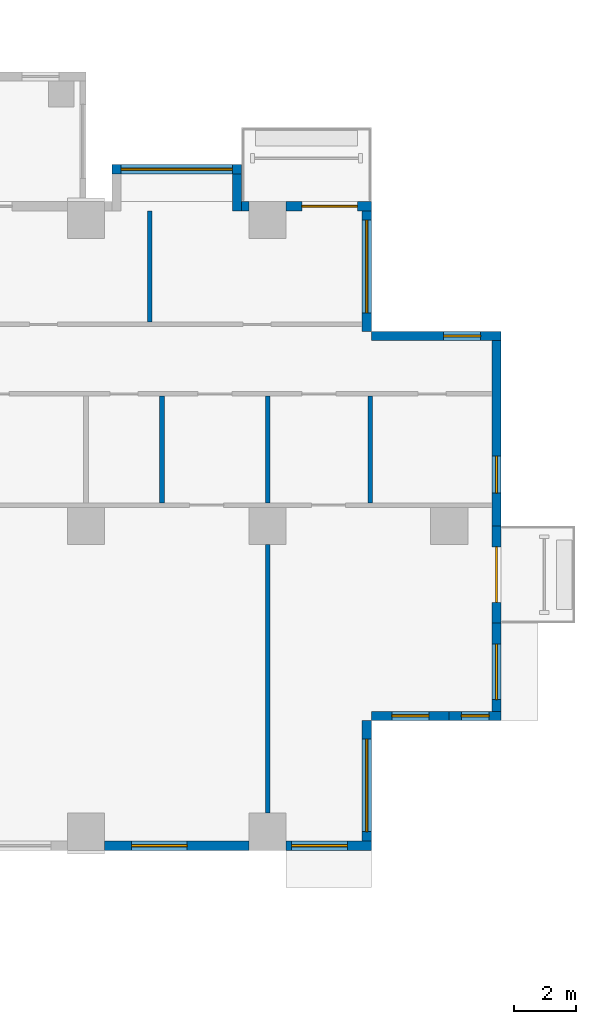
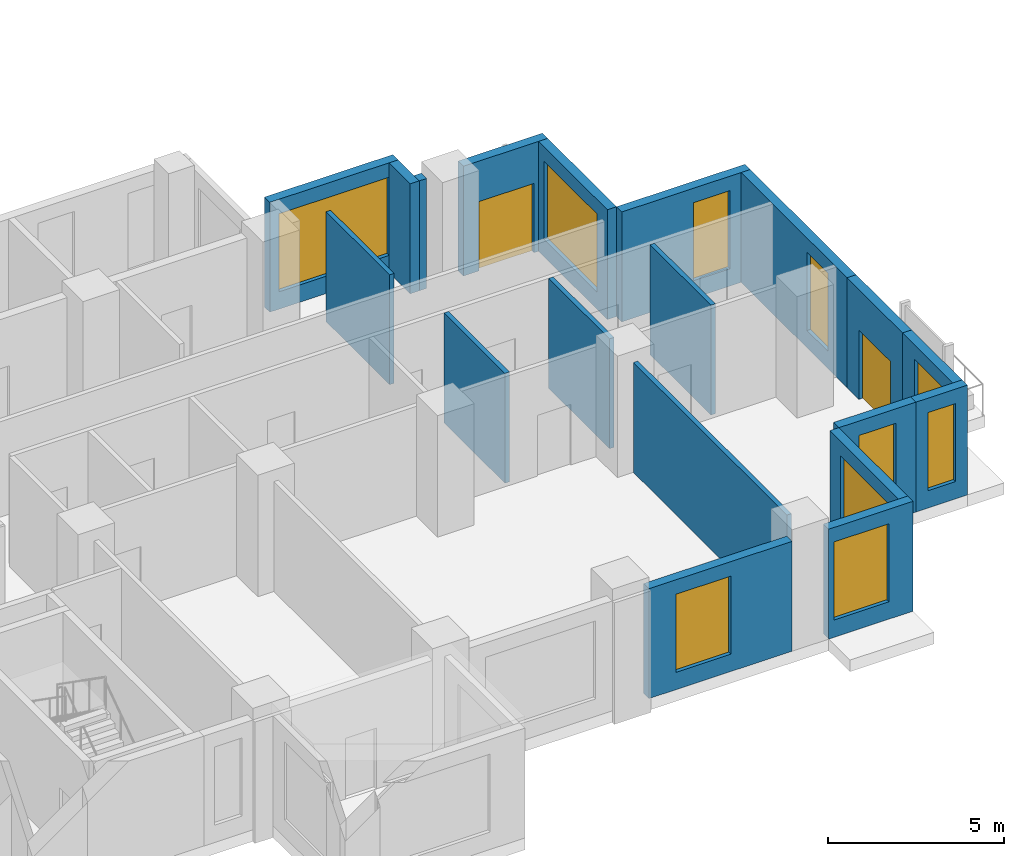
# One storey, part 9 of 15: 19 walls, 10 windows, 2 doors, 12 openings.
"""IFC4 building model written with IfcOpenShell, lengths in metres."""

from ifc_helpers import new_model, si_unit, direction, frame, frame_2d, origin, place, context, subcontext, project, spatial, rectangle, extrude, source, transform, mapped, material, layer, layer_set, type_object, element, fill, save


model = new_model("IFC4")

# Units and contexts
model_context = context("Model", 3, precision=1e-05, world=origin(), true_north=direction((0.0, 1.0)))
body_context = subcontext(model_context, "Body", "Model", "MODEL_VIEW")
ifc_project = project(units=[si_unit("LENGTHUNIT", "METRE"), si_unit("AREAUNIT", "SQUARE_METRE"), si_unit("VOLUMEUNIT", "CUBIC_METRE"), si_unit("PLANEANGLEUNIT", "RADIAN"), si_unit("MASSUNIT", "GRAM", prefix="KILO")], contexts=[model_context])

# Site, building, storey
site_placement = place(None, origin())
site = spatial("IfcSite", under=ifc_project, at=site_placement, CompositionType="ELEMENT")
building_placement = place(site_placement, origin())
building = spatial("IfcBuilding", under=site, at=building_placement, Name="Aurelian Terraces", CompositionType="ELEMENT")
storey_placement = place(building_placement, frame((0.0, 0.0, 61.5)))
storey = spatial("IfcBuildingStorey", under=building, at=storey_placement, Name="L12", CompositionType="ELEMENT", Elevation=61.5)

# Wall, opening, window
ifc_material_1 = material(Name="Terracotta rainscreen cladding", Category="masonry")
ifc_layer_1 = layer(ifc_material_1, 0.3)
ifc_layer_set_1 = layer_set([ifc_layer_1], Name="EW-300")
wall_type_1 = type_object("IfcWallType", Name="EW-300", PredefinedType="STANDARD", material=ifc_layer_set_1)
shared_shape_1 = source(origin(), body_context, "Body", "SweptSolid", [
    extrude(rectangle(XDim=4.68, YDim=0.3, at=frame_2d((2.34, 0.0))), origin(), (0.0, 0.0, 1.0), 3.8),
])
wall_1_placement = place(storey_placement, frame((58.56, 0.15, 0.0), z_axis=(0.0, 0.0, 1.0), x_axis=(1.0, 0.0, 0.0)))
wall_1 = element("IfcWall", 1, at=wall_1_placement, inside=storey, type_object=wall_type_1, Name="External wall L12 F01.10", PredefinedType="STANDARD", context=body_context, shape_type="MappedRepresentation", body=[
    mapped(shared_shape_1, transform((0.0, 0.0, 0.0), scale=1.0)),
])
shared_shape_2 = source(origin(), body_context, "Body", "SweptSolid", [
    extrude(rectangle(XDim=1.8, YDim=2.7, at=frame_2d((0.9, 1.35))), frame((0.0, 0.16, 0.0), z_axis=(0.0, -1.0, 0.0), x_axis=(1.0, 0.0, 0.0)), (0.0, 0.0, 1.0), 0.32),
])
opening_1_placement = place(wall_1_placement, frame((0.8775, 0.0, 0.6)))
opening_1 = element("IfcOpeningElement", 2, at=opening_1_placement, cuts=wall_1, Name="Opening W1827", PredefinedType="OPENING", context=body_context, shape_type="MappedRepresentation", body=[
    mapped(shared_shape_2, transform((0.0, 0.0, 0.0), scale=1.0)),
])
ifc_material_2 = material(Name="Clear glazing", Category="glass")
window_type_1 = type_object("IfcWindowType", Name="W-1800x2700", PartitioningType="SINGLE_PANEL", PredefinedType="WINDOW", material=ifc_material_2)
shared_shape_3 = source(origin(), body_context, "Body", "SweptSolid", [
    extrude(rectangle(XDim=1.8, YDim=2.7, at=frame_2d((0.9, 1.35))), frame((0.0, 0.03, 0.0), z_axis=(0.0, -1.0, 0.0), x_axis=(1.0, 0.0, 0.0)), (0.0, 0.0, 1.0), 0.06),
])
window_1_placement = place(opening_1_placement, origin())
window_1 = element("IfcWindow", 3, at=window_1_placement, inside=storey, type_object=window_type_1, Name="Window L12 L12-F01-10-0", OverallHeight=2.7, OverallWidth=1.8, PartitioningType="SINGLE_PANEL", PredefinedType="WINDOW", context=body_context, shape_type="MappedRepresentation", body=[
    mapped(shared_shape_3, transform((0.0, 0.0, 0.0), scale=1.0)),
])
fill(opening_1, window_1)

shared_shape_4 = source(origin(), body_context, "Body", "SweptSolid", [
    extrude(rectangle(XDim=3.15, YDim=0.3, at=frame_2d((1.575, 0.0))), origin(), (0.0, 0.0, 1.0), 3.8),
])
wall_2_placement = place(storey_placement, frame((71.25, 4.2, 0.0), z_axis=(0.0, 0.0, 1.0), x_axis=(0.0, 1.0, 0.0)))
wall_2 = element("IfcWall", 4, at=wall_2_placement, inside=storey, type_object=wall_type_1, Name="External wall L12 F04.15", PredefinedType="STANDARD", context=body_context, shape_type="MappedRepresentation", body=[
    mapped(shared_shape_4, transform((0.0, 0.0, 0.0), scale=1.0)),
])
opening_2_placement = place(wall_2_placement, frame((0.675, 0.0, 0.6)))
opening_2 = element("IfcOpeningElement", 5, at=opening_2_placement, cuts=wall_2, Name="Opening W1827", PredefinedType="OPENING", context=body_context, shape_type="MappedRepresentation", body=[
    mapped(shared_shape_2, transform((0.0, 0.0, 0.0), scale=1.0)),
])
window_2_placement = place(opening_2_placement, origin())
window_2 = element("IfcWindow", 6, at=window_2_placement, inside=storey, type_object=window_type_1, Name="Window L12 L12-F04-15-0", OverallHeight=2.7, OverallWidth=1.8, PartitioningType="SINGLE_PANEL", PredefinedType="WINDOW", context=body_context, shape_type="MappedRepresentation", body=[
    mapped(shared_shape_3, transform((0.0, 0.0, 0.0), scale=1.0)),
])
fill(opening_2, window_2)

# Wall, opening, door
wall_3_placement = place(storey_placement, frame((71.25, 7.35, 0.0), z_axis=(0.0, 0.0, 1.0), x_axis=(0.0, 1.0, 0.0)))
wall_3 = element("IfcWall", 7, at=wall_3_placement, inside=storey, type_object=wall_type_1, Name="External wall L12 F04.16", PredefinedType="STANDARD", context=body_context, shape_type="MappedRepresentation", body=[
    mapped(shared_shape_4, transform((0.0, 0.0, 0.0), scale=1.0)),
])
shared_shape_5 = source(origin(), body_context, "Body", "SweptSolid", [
    extrude(rectangle(XDim=1.8, YDim=2.4, at=frame_2d((0.9, 1.2))), frame((0.0, 0.16, 0.0), z_axis=(0.0, -1.0, 0.0), x_axis=(1.0, 0.0, 0.0)), (0.0, 0.0, 1.0), 0.32),
])
opening_3_placement = place(wall_3_placement, frame((0.675, 0.0, 0.0)))
opening_3 = element("IfcOpeningElement", 8, at=opening_3_placement, cuts=wall_3, Name="Opening 81201", PredefinedType="OPENING", context=body_context, shape_type="MappedRepresentation", body=[
    mapped(shared_shape_5, transform((0.0, 0.0, 0.0), scale=1.0)),
])
door_type = type_object("IfcDoorType", Name="BD-1800x2400", OperationType="SLIDING_TO_LEFT", PredefinedType="DOOR", material=ifc_material_2)
shared_shape_6 = source(origin(), body_context, "Body", "SweptSolid", [
    extrude(rectangle(XDim=1.8, YDim=2.4, at=frame_2d((0.9, 1.2))), frame((0.0, 0.025, 0.0), z_axis=(0.0, -1.0, 0.0), x_axis=(1.0, 0.0, 0.0)), (0.0, 0.0, 1.0), 0.05),
])
door_1_placement = place(opening_3_placement, origin())
door_1 = element("IfcDoor", 9, at=door_1_placement, inside=storey, type_object=door_type, Name="Balcony door L12 F04.16", OperationType="SLIDING_TO_LEFT", OverallHeight=2.4, OverallWidth=1.8, PredefinedType="DOOR", context=body_context, shape_type="MappedRepresentation", body=[
    mapped(shared_shape_6, transform((0.0, 0.0, 0.0), scale=1.0)),
])
fill(opening_3, door_1)

# Wall, opening, window
shared_shape_7 = source(origin(), body_context, "Body", "SweptSolid", [
    extrude(rectangle(XDim=4.2, YDim=0.3, at=frame_2d((2.1, 0.0))), origin(), (0.0, 0.0, 1.0), 3.8),
])
wall_4_placement = place(storey_placement, frame((67.05, 0.0, 0.0), z_axis=(0.0, 0.0, 1.0), x_axis=(0.0, 1.0, 0.0)))
wall_4 = element("IfcWall", 10, at=wall_4_placement, inside=storey, type_object=wall_type_1, Name="External wall L12 F02.12", PredefinedType="STANDARD", context=body_context, shape_type="MappedRepresentation", body=[
    mapped(shared_shape_7, transform((0.0, 0.0, 0.0), scale=1.0)),
])
shared_shape_8 = source(origin(), body_context, "Body", "SweptSolid", [
    extrude(rectangle(XDim=3.0, YDim=2.7, at=frame_2d((1.5, 1.35))), frame((0.0, 0.16, 0.0), z_axis=(0.0, -1.0, 0.0), x_axis=(1.0, 0.0, 0.0)), (0.0, 0.0, 1.0), 0.32),
])
opening_4_placement = place(wall_4_placement, frame((0.6, 0.0, 0.6)))
opening_4 = element("IfcOpeningElement", 11, at=opening_4_placement, cuts=wall_4, Name="Opening W3027", PredefinedType="OPENING", context=body_context, shape_type="MappedRepresentation", body=[
    mapped(shared_shape_8, transform((0.0, 0.0, 0.0), scale=1.0)),
])
window_type_2 = type_object("IfcWindowType", Name="W-3000x2700", PartitioningType="SINGLE_PANEL", PredefinedType="WINDOW", material=ifc_material_2)
shared_shape_9 = source(origin(), body_context, "Body", "SweptSolid", [
    extrude(rectangle(XDim=3.0, YDim=2.7, at=frame_2d((1.5, 1.35))), frame((0.0, 0.03, 0.0), z_axis=(0.0, -1.0, 0.0), x_axis=(1.0, 0.0, 0.0)), (0.0, 0.0, 1.0), 0.06),
])
window_3_placement = place(opening_4_placement, origin())
window_3 = element("IfcWindow", 12, at=window_3_placement, inside=storey, type_object=window_type_2, Name="Window L12 L12-F02-12-0", OverallHeight=2.7, OverallWidth=3.0, PartitioningType="SINGLE_PANEL", PredefinedType="WINDOW", context=body_context, shape_type="MappedRepresentation", body=[
    mapped(shared_shape_9, transform((0.0, 0.0, 0.0), scale=1.0)),
])
fill(opening_4, window_3)

wall_5_placement = place(storey_placement, frame((71.4, 16.65, 0.0), z_axis=(0.0, 0.0, 1.0), x_axis=(-1.0, 0.0, 0.0)))
wall_5 = element("IfcWall", 13, at=wall_5_placement, inside=storey, type_object=wall_type_1, Name="External wall L12 F05.18", PredefinedType="STANDARD", context=body_context, shape_type="MappedRepresentation", body=[
    mapped(shared_shape_7, transform((0.0, 0.0, 0.0), scale=1.0)),
])
shared_shape_10 = source(origin(), body_context, "Body", "SweptSolid", [
    extrude(rectangle(XDim=1.2, YDim=2.7, at=frame_2d((0.6, 1.35))), frame((0.0, 0.16, 0.0), z_axis=(0.0, -1.0, 0.0), x_axis=(1.0, 0.0, 0.0)), (0.0, 0.0, 1.0), 0.32),
])
opening_5_placement = place(wall_5_placement, frame((0.66, 0.0, 0.6)))
opening_5 = element("IfcOpeningElement", 14, at=opening_5_placement, cuts=wall_5, Name="Opening W1227", PredefinedType="OPENING", context=body_context, shape_type="MappedRepresentation", body=[
    mapped(shared_shape_10, transform((0.0, 0.0, 0.0), scale=1.0)),
])
window_type_3 = type_object("IfcWindowType", Name="W-1200x2700", PartitioningType="SINGLE_PANEL", PredefinedType="WINDOW", material=ifc_material_2)
shared_shape_11 = source(origin(), body_context, "Body", "SweptSolid", [
    extrude(rectangle(XDim=1.2, YDim=2.7, at=frame_2d((0.6, 1.35))), frame((0.0, 0.03, 0.0), z_axis=(0.0, -1.0, 0.0), x_axis=(1.0, 0.0, 0.0)), (0.0, 0.0, 1.0), 0.06),
])
window_4_placement = place(opening_5_placement, origin())
window_4 = element("IfcWindow", 15, at=window_4_placement, inside=storey, type_object=window_type_3, Name="Window L12 L12-F05-18-0", OverallHeight=2.7, OverallWidth=1.2, PartitioningType="SINGLE_PANEL", PredefinedType="WINDOW", context=body_context, shape_type="MappedRepresentation", body=[
    mapped(shared_shape_11, transform((0.0, 0.0, 0.0), scale=1.0)),
])
fill(opening_5, window_4)

wall_6_placement = place(storey_placement, frame((67.05, 16.8, 0.0), z_axis=(0.0, 0.0, 1.0), x_axis=(0.0, 1.0, 0.0)))
wall_6 = element("IfcWall", 16, at=wall_6_placement, inside=storey, type_object=wall_type_1, Name="External wall L12 F06.19", PredefinedType="STANDARD", context=body_context, shape_type="MappedRepresentation", body=[
    mapped(shared_shape_7, transform((0.0, 0.0, 0.0), scale=1.0)),
])
opening_6_placement = place(wall_6_placement, frame((0.6, 0.0, 0.6)))
opening_6 = element("IfcOpeningElement", 17, at=opening_6_placement, cuts=wall_6, Name="Opening W3027", PredefinedType="OPENING", context=body_context, shape_type="MappedRepresentation", body=[
    mapped(shared_shape_8, transform((0.0, 0.0, 0.0), scale=1.0)),
])
window_5_placement = place(opening_6_placement, origin())
window_5 = element("IfcWindow", 18, at=window_5_placement, inside=storey, type_object=window_type_2, Name="Window L12 L12-F06-19-0", OverallHeight=2.7, OverallWidth=3.0, PartitioningType="SINGLE_PANEL", PredefinedType="WINDOW", context=body_context, shape_type="MappedRepresentation", body=[
    mapped(shared_shape_9, transform((0.0, 0.0, 0.0), scale=1.0)),
])
fill(opening_6, window_5)

wall_7_placement = place(storey_placement, frame((63.0, 22.05, 0.0), z_axis=(0.0, 0.0, 1.0), x_axis=(-1.0, 0.0, 0.0)))
wall_7 = element("IfcWall", 19, at=wall_7_placement, inside=storey, type_object=wall_type_1, Name="Bay wall L12 F07.21", PredefinedType="STANDARD", context=body_context, shape_type="MappedRepresentation", body=[
    mapped(shared_shape_7, transform((0.0, 0.0, 0.0), scale=1.0)),
])
shared_shape_12 = source(origin(), body_context, "Body", "SweptSolid", [
    extrude(rectangle(XDim=3.6, YDim=2.7, at=frame_2d((1.8, 1.35))), frame((0.0, 0.16, 0.0), z_axis=(0.0, -1.0, 0.0), x_axis=(1.0, 0.0, 0.0)), (0.0, 0.0, 1.0), 0.32),
])
opening_7_placement = place(wall_7_placement, frame((0.3, 0.0, 0.6)))
opening_7 = element("IfcOpeningElement", 20, at=opening_7_placement, cuts=wall_7, Name="Opening W3627", PredefinedType="OPENING", context=body_context, shape_type="MappedRepresentation", body=[
    mapped(shared_shape_12, transform((0.0, 0.0, 0.0), scale=1.0)),
])
window_type_4 = type_object("IfcWindowType", Name="W-3600x2700", PartitioningType="SINGLE_PANEL", PredefinedType="WINDOW", material=ifc_material_2)
shared_shape_13 = source(origin(), body_context, "Body", "SweptSolid", [
    extrude(rectangle(XDim=3.6, YDim=2.7, at=frame_2d((1.8, 1.35))), frame((0.0, 0.03, 0.0), z_axis=(0.0, -1.0, 0.0), x_axis=(1.0, 0.0, 0.0)), (0.0, 0.0, 1.0), 0.06),
])
window_6_placement = place(opening_7_placement, origin())
window_6 = element("IfcWindow", 21, at=window_6_placement, inside=storey, type_object=window_type_4, Name="Window L12 L12-F07-21-0", OverallHeight=2.7, OverallWidth=3.6, PartitioningType="SINGLE_PANEL", PredefinedType="WINDOW", context=body_context, shape_type="MappedRepresentation", body=[
    mapped(shared_shape_13, transform((0.0, 0.0, 0.0), scale=1.0)),
])
fill(opening_7, window_6)

shared_shape_14 = source(origin(), body_context, "Body", "SweptSolid", [
    extrude(rectangle(XDim=2.76, YDim=0.3, at=frame_2d((1.38, 0.0))), origin(), (0.0, 0.0, 1.0), 3.8),
])
wall_8_placement = place(storey_placement, frame((64.44, 0.15, 0.0), z_axis=(0.0, 0.0, 1.0), x_axis=(1.0, 0.0, 0.0)))
wall_8 = element("IfcWall", 22, at=wall_8_placement, inside=storey, type_object=wall_type_1, Name="External wall L12 F01.11", PredefinedType="STANDARD", context=body_context, shape_type="MappedRepresentation", body=[
    mapped(shared_shape_14, transform((0.0, 0.0, 0.0), scale=1.0)),
])
opening_8_placement = place(wall_8_placement, frame((0.18, 0.0, 0.6)))
opening_8 = element("IfcOpeningElement", 23, at=opening_8_placement, cuts=wall_8, Name="Opening W1827", PredefinedType="OPENING", context=body_context, shape_type="MappedRepresentation", body=[
    mapped(shared_shape_2, transform((0.0, 0.0, 0.0), scale=1.0)),
])
window_7_placement = place(opening_8_placement, origin())
window_7 = element("IfcWindow", 24, at=window_7_placement, inside=storey, type_object=window_type_1, Name="Window L12 L12-F01-11-0", OverallHeight=2.7, OverallWidth=1.8, PartitioningType="SINGLE_PANEL", PredefinedType="WINDOW", context=body_context, shape_type="MappedRepresentation", body=[
    mapped(shared_shape_3, transform((0.0, 0.0, 0.0), scale=1.0)),
])
fill(opening_8, window_7)

# Wall, opening, door
wall_9_placement = place(storey_placement, frame((67.2, 20.85, 0.0), z_axis=(0.0, 0.0, 1.0), x_axis=(-1.0, 0.0, 0.0)))
wall_9 = element("IfcWall", 25, at=wall_9_placement, inside=storey, type_object=wall_type_1, Name="External wall L12 F07.20", PredefinedType="STANDARD", context=body_context, shape_type="MappedRepresentation", body=[
    mapped(shared_shape_14, transform((0.0, 0.0, 0.0), scale=1.0)),
])
opening_9_placement = place(wall_9_placement, frame((0.45, 0.0, 0.0)))
opening_9 = element("IfcOpeningElement", 26, at=opening_9_placement, cuts=wall_9, Name="Opening 81202", PredefinedType="OPENING", context=body_context, shape_type="MappedRepresentation", body=[
    mapped(shared_shape_5, transform((0.0, 0.0, 0.0), scale=1.0)),
])
door_2_placement = place(opening_9_placement, origin())
door_2 = element("IfcDoor", 27, at=door_2_placement, inside=storey, type_object=door_type, Name="Balcony door L12 F07.20", OperationType="SLIDING_TO_LEFT", OverallHeight=2.4, OverallWidth=1.8, PredefinedType="DOOR", context=body_context, shape_type="MappedRepresentation", body=[
    mapped(shared_shape_6, transform((0.0, 0.0, 0.0), scale=1.0)),
])
fill(opening_9, door_2)

# Walls
shared_shape_15 = source(origin(), body_context, "Body", "SweptSolid", [
    extrude(rectangle(XDim=1.2, YDim=0.3, at=frame_2d((0.6, 0.0))), origin(), (0.0, 0.0, 1.0), 3.8),
])
wall_10_placement = place(storey_placement, frame((62.85, 20.7, 0.0), z_axis=(0.0, 0.0, 1.0), x_axis=(0.0, 1.0, 0.0)))
element("IfcWall", 28, at=wall_10_placement, inside=storey, type_object=wall_type_1, Name="Bay return L12 F07.21.1", PredefinedType="STANDARD", context=body_context, shape_type="MappedRepresentation", body=[
    mapped(shared_shape_15, transform((0.0, 0.0, 0.0), scale=1.0)),
])
shared_shape_16 = source(origin(), body_context, "Body", "SweptSolid", [
    extrude(rectangle(XDim=0.24, YDim=0.3, at=frame_2d((0.12, 0.0))), origin(), (0.0, 0.0, 1.0), 3.8),
])
wall_11_placement = place(storey_placement, frame((63.24, 20.85, 0.0), z_axis=(0.0, 0.0, 1.0), x_axis=(-1.0, 0.0, 0.0)))
element("IfcWall", 29, at=wall_11_placement, inside=storey, type_object=wall_type_1, Name="External wall L12 F07.20", PredefinedType="STANDARD", context=body_context, shape_type="MappedRepresentation", body=[
    mapped(shared_shape_16, transform((0.0, 0.0, 0.0), scale=1.0)),
])

# Wall, opening, window
shared_shape_17 = source(origin(), body_context, "Body", "SweptSolid", [
    extrude(rectangle(XDim=2.52, YDim=0.3, at=frame_2d((1.26, 0.0))), origin(), (0.0, 0.0, 1.0), 3.8),
])
wall_12_placement = place(storey_placement, frame((67.2, 4.35, 0.0), z_axis=(0.0, 0.0, 1.0), x_axis=(1.0, 0.0, 0.0)))
wall_12 = element("IfcWall", 30, at=wall_12_placement, inside=storey, type_object=wall_type_1, Name="External wall L12 F03.13", PredefinedType="STANDARD", context=body_context, shape_type="MappedRepresentation", body=[
    mapped(shared_shape_17, transform((0.0, 0.0, 0.0), scale=1.0)),
])
opening_10_placement = place(wall_12_placement, frame((0.66, 0.0, 0.6)))
opening_10 = element("IfcOpeningElement", 31, at=opening_10_placement, cuts=wall_12, Name="Opening W1227", PredefinedType="OPENING", context=body_context, shape_type="MappedRepresentation", body=[
    mapped(shared_shape_10, transform((0.0, 0.0, 0.0), scale=1.0)),
])
window_8_placement = place(opening_10_placement, origin())
window_8 = element("IfcWindow", 32, at=window_8_placement, inside=storey, type_object=window_type_3, Name="Window L12 L12-F03-13-0", OverallHeight=2.7, OverallWidth=1.2, PartitioningType="SINGLE_PANEL", PredefinedType="WINDOW", context=body_context, shape_type="MappedRepresentation", body=[
    mapped(shared_shape_11, transform((0.0, 0.0, 0.0), scale=1.0)),
])
fill(opening_10, window_8)

shared_shape_18 = source(origin(), body_context, "Body", "SweptSolid", [
    extrude(rectangle(XDim=1.68, YDim=0.3, at=frame_2d((0.84, 0.0))), origin(), (0.0, 0.0, 1.0), 3.8),
])
wall_13_placement = place(storey_placement, frame((69.72, 4.35, 0.0), z_axis=(0.0, 0.0, 1.0), x_axis=(1.0, 0.0, 0.0)))
wall_13 = element("IfcWall", 33, at=wall_13_placement, inside=storey, type_object=wall_type_1, Name="External wall L12 F03.14", PredefinedType="STANDARD", context=body_context, shape_type="MappedRepresentation", body=[
    mapped(shared_shape_18, transform((0.0, 0.0, 0.0), scale=1.0)),
])
shared_shape_19 = source(origin(), body_context, "Body", "SweptSolid", [
    extrude(rectangle(XDim=0.9, YDim=2.7, at=frame_2d((0.45, 1.35))), frame((0.0, 0.16, 0.0), z_axis=(0.0, -1.0, 0.0), x_axis=(1.0, 0.0, 0.0)), (0.0, 0.0, 1.0), 0.32),
])
opening_11_placement = place(wall_13_placement, frame((0.39, 0.0, 0.6)))
opening_11 = element("IfcOpeningElement", 34, at=opening_11_placement, cuts=wall_13, Name="Opening W0927", PredefinedType="OPENING", context=body_context, shape_type="MappedRepresentation", body=[
    mapped(shared_shape_19, transform((0.0, 0.0, 0.0), scale=1.0)),
])
window_type_5 = type_object("IfcWindowType", Name="W-900x2700", PartitioningType="SINGLE_PANEL", PredefinedType="WINDOW", material=ifc_material_2)
shared_shape_20 = source(origin(), body_context, "Body", "SweptSolid", [
    extrude(rectangle(XDim=0.9, YDim=2.7, at=frame_2d((0.45, 1.35))), frame((0.0, 0.03, 0.0), z_axis=(0.0, -1.0, 0.0), x_axis=(1.0, 0.0, 0.0)), (0.0, 0.0, 1.0), 0.06),
])
window_9_placement = place(opening_11_placement, origin())
window_9 = element("IfcWindow", 35, at=window_9_placement, inside=storey, type_object=window_type_5, Name="Window L12 L12-F03-14-P0", OverallHeight=2.7, OverallWidth=0.9, PartitioningType="SINGLE_PANEL", PredefinedType="WINDOW", context=body_context, shape_type="MappedRepresentation", body=[
    mapped(shared_shape_20, transform((0.0, 0.0, 0.0), scale=1.0)),
])
fill(opening_11, window_9)

shared_shape_21 = source(origin(), body_context, "Body", "SweptSolid", [
    extrude(rectangle(XDim=6.3, YDim=0.3, at=frame_2d((3.15, 0.0))), origin(), (0.0, 0.0, 1.0), 3.8),
])
wall_14_placement = place(storey_placement, frame((71.25, 10.5, 0.0), z_axis=(0.0, 0.0, 1.0), x_axis=(0.0, 1.0, 0.0)))
wall_14 = element("IfcWall", 36, at=wall_14_placement, inside=storey, type_object=wall_type_1, Name="External wall L12 F04.17", PredefinedType="STANDARD", context=body_context, shape_type="MappedRepresentation", body=[
    mapped(shared_shape_21, transform((0.0, 0.0, 0.0), scale=1.0)),
])
opening_12_placement = place(wall_14_placement, frame((1.0625, 0.0, 0.6)))
opening_12 = element("IfcOpeningElement", 37, at=opening_12_placement, cuts=wall_14, Name="Opening W1227", PredefinedType="OPENING", context=body_context, shape_type="MappedRepresentation", body=[
    mapped(shared_shape_10, transform((0.0, 0.0, 0.0), scale=1.0)),
])
window_10_placement = place(opening_12_placement, origin())
window_10 = element("IfcWindow", 38, at=window_10_placement, inside=storey, type_object=window_type_3, Name="Window L12 L12-F04-17-0", OverallHeight=2.7, OverallWidth=1.2, PartitioningType="SINGLE_PANEL", PredefinedType="WINDOW", context=body_context, shape_type="MappedRepresentation", body=[
    mapped(shared_shape_11, transform((0.0, 0.0, 0.0), scale=1.0)),
])
fill(opening_12, window_10)

# Walls
ifc_material_3 = material(Name="Gypsum board on steel studs", Category="steel")
ifc_layer_2 = layer(ifc_material_3, 0.15)
ifc_layer_set_2 = layer_set([ifc_layer_2], Name="Partition 150")
wall_type_2 = type_object("IfcWallType", Name="Partition 150", PredefinedType="PARTITIONING", material=ifc_layer_set_2)
shared_shape_22 = source(origin(), body_context, "Body", "SweptSolid", [
    extrude(rectangle(XDim=8.702, YDim=0.15, at=frame_2d((4.351, 0.0))), origin(), (0.0, 0.0, 1.0), 3.8),
])
wall_15_placement = place(storey_placement, frame((63.84, 1.199, 0.0), z_axis=(0.0, 0.0, 1.0), x_axis=(0.0, 1.0, 0.0)))
element("IfcWall", 39, at=wall_15_placement, inside=storey, type_object=wall_type_2, Name="Partition", PredefinedType="PARTITIONING", context=body_context, shape_type="MappedRepresentation", body=[
    mapped(shared_shape_22, transform((0.0, 0.0, 0.0), scale=1.0)),
])
shared_shape_23 = source(origin(), body_context, "Body", "SweptSolid", [
    extrude(rectangle(XDim=3.6, YDim=0.15, at=frame_2d((1.8, 0.0))), origin(), (0.0, 0.0, 1.0), 3.8),
])
wall_16_placement = place(storey_placement, frame((60.025, 20.7, 0.0), z_axis=(0.0, 0.0, 1.0), x_axis=(0.0, -1.0, 0.0)))
element("IfcWall", 40, at=wall_16_placement, inside=storey, type_object=wall_type_2, Name="Partition", PredefinedType="PARTITIONING", context=body_context, shape_type="MappedRepresentation", body=[
    mapped(shared_shape_23, transform((0.0, 0.0, 0.0), scale=1.0)),
])
shared_shape_24 = source(origin(), body_context, "Body", "SweptSolid", [
    extrude(rectangle(XDim=3.45, YDim=0.15, at=frame_2d((1.725, 0.0))), origin(), (0.0, 0.0, 1.0), 3.8),
])
for number, where, z_axis, x_axis, name in (
    (41, (60.4196, 11.25, 0.0), (0.0, 0.0, 1.0), (0.0, 1.0, 0.0), "Partition"),
    (42, (67.1584, 11.25, 0.0), (0.0, 0.0, 1.0), (0.0, 1.0, 0.0), "Partition"),
    (43, (63.84, 11.25, 0.0), (0.0, 0.0, 1.0), (0.0, 1.0, 0.0), "Partition"),
):
    element("IfcWall", number, at=place(storey_placement, frame(where, z_axis=z_axis, x_axis=x_axis)), inside=storey, type_object=wall_type_2, Name=name, PredefinedType="PARTITIONING", context=body_context, shape_type="MappedRepresentation", body=[
        mapped(shared_shape_24, transform((0.0, 0.0, 0.0), scale=1.0)),
    ])

save(model, "model.ifc")
